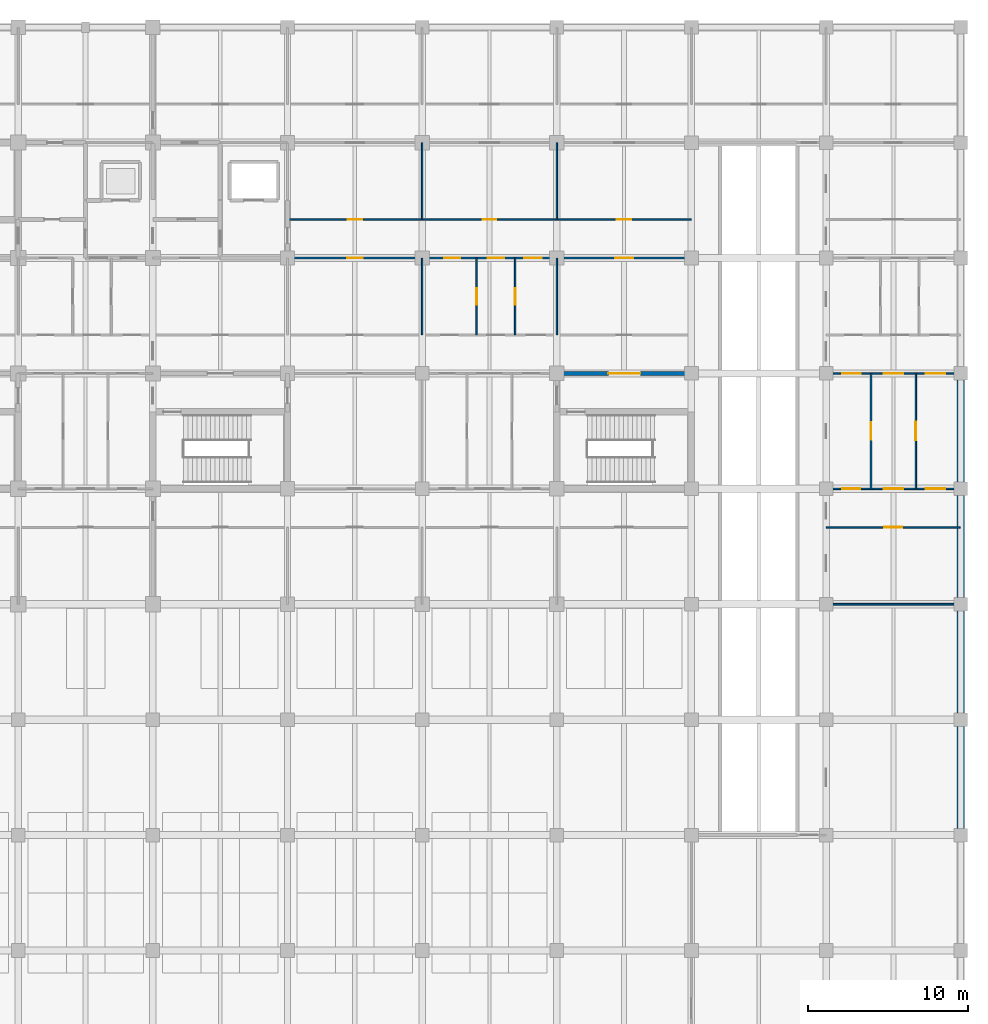
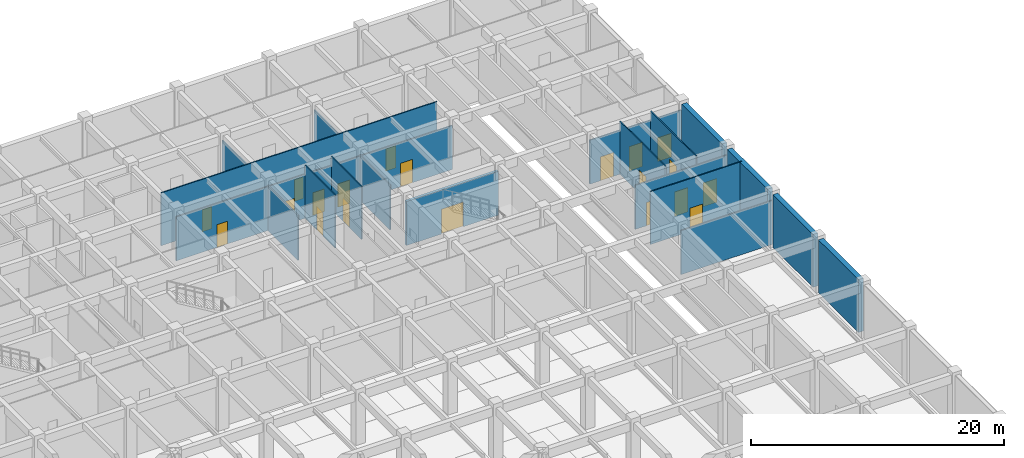
# One storey, part 37 of 48: 20 doors, 19 walls, 20 openings.
"""IFC4 building model written with IfcOpenShell, lengths in metres."""

from ifc_helpers import new_model, si_unit, direction, frame, frame_2d, origin, place, context, subcontext, project, spatial, rectangle, extrude, material, layer, layer_set, type_object, element, fill, save


model = new_model("IFC4")

# Units and contexts
model_context = context("Model", 3, precision=1e-05, world=origin(), true_north=direction((0.0, 1.0)))
body_context = subcontext(model_context, "Body", "Model", "MODEL_VIEW")
ifc_project = project(units=[si_unit("LENGTHUNIT", "METRE"), si_unit("AREAUNIT", "SQUARE_METRE"), si_unit("VOLUMEUNIT", "CUBIC_METRE"), si_unit("PLANEANGLEUNIT", "RADIAN"), si_unit("MASSUNIT", "GRAM", prefix="KILO")], contexts=[model_context])

# Site, building, storey
site_placement = place(None, origin())
site = spatial("IfcSite", under=ifc_project, at=site_placement, CompositionType="ELEMENT")
building_placement = place(site_placement, origin())
building = spatial("IfcBuilding", under=site, at=building_placement, Name="Chengyuan Square Courthouse", CompositionType="ELEMENT")
storey_placement = place(building_placement, frame((0.0, 0.0, -5.39990234375)))
storey = spatial("IfcBuildingStorey", under=building, at=storey_placement, Name="B01", CompositionType="ELEMENT", Elevation=-5.39990234375)

# Wall, opening, door
ifc_material_1 = material(Name="Concrete C40", Category="concrete")
ifc_layer_1 = layer(ifc_material_1, 0.25)
ifc_layer_set_1 = layer_set([ifc_layer_1], Name="Concrete C40")
wall_type_1 = type_object("IfcWallType", Name="WL-FW1", PredefinedType="STANDARD", material=ifc_layer_set_1)
wall_1_placement = place(storey_placement, frame((142.800048828125, 93.60009765625, 0.0), z_axis=(0.0, 0.0, 1.0), x_axis=(1.0, 0.0, 0.0)))
wall_1 = element("IfcWall", 1, at=wall_1_placement, inside=storey, type_object=wall_type_1, Name="Interior Wall WL-B01-I347", PredefinedType="STANDARD", context=body_context, shape_type="SweptSolid", body=[
    extrude(rectangle(XDim=8.39990234375, YDim=0.25, at=frame_2d((4.199951171875, 0.0))), origin(), (0.0, 0.0, 1.0), 4.25),
])
opening_1_placement = place(wall_1_placement, frame((3.21240234375, 0.0, 0.0)))
opening_1 = element("IfcOpeningElement", 2, at=opening_1_placement, cuts=wall_1, Name="Opening DR-371", PredefinedType="OPENING", context=body_context, shape_type="SweptSolid", body=[
    extrude(rectangle(XDim=2.0, YDim=2.39990234375, at=frame_2d((1.0, 1.199951171875))), frame((0.0, 0.136962890625, 0.0), z_axis=(0.0, -1.0, 0.0), x_axis=(1.0, 0.0, 0.0)), (0.0, 0.0, 1.0), 0.27392578125),
])
ifc_material_2 = material(Name="Steel Q235B Glazed Fire Door", Category="steel")
door_type_1 = type_object("IfcDoorType", Name="DT-20", OperationType="DOUBLE_DOOR_SINGLE_SWING", PredefinedType="DOOR", material=ifc_material_2)
door_1_placement = place(opening_1_placement, frame((2.0, 0.0, 0.0), z_axis=(0.0, 0.0, 1.0), x_axis=(-1.0, 0.0, 0.0)))
door_1 = element("IfcDoor", 3, at=door_1_placement, inside=storey, type_object=door_type_1, Name="Interior Door DR-371", OperationType="DOUBLE_DOOR_SINGLE_SWING", OverallHeight=2.39990234375, OverallWidth=2.0, PredefinedType="DOOR", context=body_context, shape_type="SweptSolid", body=[
    extrude(rectangle(XDim=2.0, YDim=2.39990234375, at=frame_2d((1.0, 1.199951171875))), frame((0.0, 0.02490234375, 0.0), z_axis=(0.0, -1.0, 0.0), x_axis=(1.0, 0.0, 0.0)), (0.0, 0.0, 1.0), 0.050048828125),
])
fill(opening_1, door_1)

# Wall
ifc_material_3 = material(Name="Gypsum Plasterboard Acoustic Stud Partition")
ifc_layer_2 = layer(ifc_material_3, 0.10009765625)
ifc_layer_set_2 = layer_set([ifc_layer_2], Name="Gypsum Plasterboard Acoustic Stud Partition")
wall_type_2 = type_object("IfcWallType", Name="WL-PT6", PredefinedType="STANDARD", material=ifc_layer_set_2)
wall_2_placement = place(storey_placement, frame((159.60009765625, 79.199951171875, 0.0), z_axis=(0.0, 0.0, 1.0), x_axis=(1.0, 0.0, 0.0)))
element("IfcWall", 4, at=wall_2_placement, inside=storey, type_object=wall_type_2, Name="Interior Wall WL-B01-I300", PredefinedType="STANDARD", context=body_context, shape_type="SweptSolid", body=[
    extrude(rectangle(XDim=8.35986328125, YDim=0.10009765625, at=frame_2d((4.179931640625, 0.0))), origin(), (0.0, 0.0, 1.0), 4.25),
])

# Wall, opening, door
wall_3_placement = place(storey_placement, frame((159.60009765625, 84.0, 0.0), z_axis=(0.0, 0.0, 1.0), x_axis=(1.0, 0.0, 0.0)))
wall_3 = element("IfcWall", 5, at=wall_3_placement, inside=storey, type_object=wall_type_2, Name="Interior Wall WL-B01-I304", PredefinedType="STANDARD", context=body_context, shape_type="SweptSolid", body=[
    extrude(rectangle(XDim=8.35986328125, YDim=0.10009765625, at=frame_2d((4.179931640625, 0.0))), origin(), (0.0, 0.0, 1.0), 5.099853515625),
])
opening_2_placement = place(wall_3_placement, frame((3.6201171875, 0.0, 0.0)))
opening_2 = element("IfcOpeningElement", 6, at=opening_2_placement, cuts=wall_3, Name="Opening DR-636", PredefinedType="OPENING", context=body_context, shape_type="SweptSolid", body=[
    extrude(rectangle(XDim=1.1201171875, YDim=2.25, at=frame_2d((0.56005859375, 1.125))), frame((0.0, 0.06201171875, 0.0), z_axis=(0.0, -1.0, 0.0), x_axis=(1.0, 0.0, 0.0)), (0.0, 0.0, 1.0), 0.1240234375),
])
ifc_material_4 = material(Name="Acoustic Solid-Core Timber Door", Category="wood")
door_type_2 = type_object("IfcDoorType", Name="DT-34", OperationType="NOTDEFINED", PredefinedType="DOOR", material=ifc_material_4)
door_2_placement = place(opening_2_placement, origin())
door_2 = element("IfcDoor", 7, at=door_2_placement, inside=storey, type_object=door_type_2, Name="Interior Door DR-636", OperationType="SINGLE_SWING_LEFT", OverallHeight=2.25, OverallWidth=1.1201171875, PredefinedType="DOOR", context=body_context, shape_type="SweptSolid", body=[
    extrude(rectangle(XDim=1.1201171875, YDim=2.25, at=frame_2d((0.56005859375, 1.125))), frame((0.0, 0.02490234375, 0.0), z_axis=(0.0, -1.0, 0.0), x_axis=(1.0, 0.0, 0.0)), (0.0, 0.0, 1.0), 0.050048828125),
])
fill(opening_2, door_2)

# Wall, openings, doors
wall_4_placement = place(storey_placement, frame((159.60009765625, 86.39990234375, 0.0), z_axis=(0.0, 0.0, 1.0), x_axis=(1.0, 0.0, 0.0)))
wall_4 = element("IfcWall", 8, at=wall_4_placement, inside=storey, type_object=wall_type_2, Name="Interior Wall WL-B01-I320", PredefinedType="STANDARD", context=body_context, shape_type="SweptSolid", body=[
    extrude(rectangle(XDim=8.35986328125, YDim=0.10009765625, at=frame_2d((4.179931640625, 0.0))), origin(), (0.0, 0.0, 1.0), 4.25),
])
opening_3_placement = place(wall_4_placement, frame((1.012451171875, 0.0, 0.0)))
opening_3 = element("IfcOpeningElement", 9, at=opening_3_placement, cuts=wall_4, Name="Opening DR-585", PredefinedType="OPENING", context=body_context, shape_type="SweptSolid", body=[
    extrude(rectangle(XDim=1.1201171875, YDim=2.25, at=frame_2d((0.56005859375, 1.125))), frame((0.0, 0.06201171875, 0.0), z_axis=(0.0, -1.0, 0.0), x_axis=(1.0, 0.0, 0.0)), (0.0, 0.0, 1.0), 0.1240234375),
])
opening_4_placement = place(wall_4_placement, frame((3.60009765625, 0.0, 0.0)))
opening_4 = element("IfcOpeningElement", 10, at=opening_4_placement, cuts=wall_4, Name="Opening DR-587", PredefinedType="OPENING", context=body_context, shape_type="SweptSolid", body=[
    extrude(rectangle(XDim=1.199951171875, YDim=2.35009765625, at=frame_2d((0.60009765625, 1.175048828125))), frame((0.0, 0.06201171875, 0.0), z_axis=(0.0, -1.0, 0.0), x_axis=(1.0, 0.0, 0.0)), (0.0, 0.0, 1.0), 0.1240234375),
])
opening_5_placement = place(wall_4_placement, frame((6.20751953125, 0.0, 0.0)))
opening_5 = element("IfcOpeningElement", 11, at=opening_5_placement, cuts=wall_4, Name="Opening DR-588", PredefinedType="OPENING", context=body_context, shape_type="SweptSolid", body=[
    extrude(rectangle(XDim=1.239990234375, YDim=2.300048828125, at=frame_2d((0.6201171875, 1.14990234375))), frame((0.0, 0.06201171875, 0.0), z_axis=(0.0, -1.0, 0.0), x_axis=(1.0, 0.0, 0.0)), (0.0, 0.0, 1.0), 0.1240234375),
])
door_3_placement = place(opening_3_placement, origin())
door_3 = element("IfcDoor", 12, at=door_3_placement, inside=storey, type_object=door_type_2, Name="Interior Door DR-585", OperationType="SINGLE_SWING_LEFT", OverallHeight=2.25, OverallWidth=1.1201171875, PredefinedType="DOOR", context=body_context, shape_type="SweptSolid", body=[
    extrude(rectangle(XDim=1.1201171875, YDim=2.25, at=frame_2d((0.56005859375, 1.125))), frame((0.0, 0.02490234375, 0.0), z_axis=(0.0, -1.0, 0.0), x_axis=(1.0, 0.0, 0.0)), (0.0, 0.0, 1.0), 0.050048828125),
])
fill(opening_3, door_3)
door_type_3 = type_object("IfcDoorType", Name="DT-36", OperationType="NOTDEFINED", PredefinedType="DOOR", material=ifc_material_4)
door_4_placement = place(opening_4_placement, origin())
door_4 = element("IfcDoor", 13, at=door_4_placement, inside=storey, type_object=door_type_3, Name="Interior Door DR-587", OperationType="SINGLE_SWING_LEFT", OverallHeight=2.35009765625, OverallWidth=1.199951171875, PredefinedType="DOOR", context=body_context, shape_type="SweptSolid", body=[
    extrude(rectangle(XDim=1.199951171875, YDim=2.35009765625, at=frame_2d((0.60009765625, 1.175048828125))), frame((0.0, 0.02490234375, 0.0), z_axis=(0.0, -1.0, 0.0), x_axis=(1.0, 0.0, 0.0)), (0.0, 0.0, 1.0), 0.050048828125),
])
fill(opening_4, door_4)
door_type_4 = type_object("IfcDoorType", Name="DT-37", OperationType="NOTDEFINED", PredefinedType="DOOR", material=ifc_material_4)
door_5_placement = place(opening_5_placement, origin())
door_5 = element("IfcDoor", 14, at=door_5_placement, inside=storey, type_object=door_type_4, Name="Interior Door DR-588", OperationType="SINGLE_SWING_RIGHT", OverallHeight=2.300048828125, OverallWidth=1.239990234375, PredefinedType="DOOR", context=body_context, shape_type="SweptSolid", body=[
    extrude(rectangle(XDim=1.239990234375, YDim=2.300048828125, at=frame_2d((0.6201171875, 1.14990234375))), frame((0.0, 0.02490234375, 0.0), z_axis=(0.0, -1.0, 0.0), x_axis=(1.0, 0.0, 0.0)), (0.0, 0.0, 1.0), 0.050048828125),
])
fill(opening_5, door_5)

wall_5_placement = place(storey_placement, frame((159.60009765625, 93.60009765625, 0.0), z_axis=(0.0, 0.0, 1.0), x_axis=(1.0, 0.0, 0.0)))
wall_5 = element("IfcWall", 15, at=wall_5_placement, inside=storey, type_object=wall_type_2, Name="Interior Wall WL-B01-I348", PredefinedType="STANDARD", context=body_context, shape_type="SweptSolid", body=[
    extrude(rectangle(XDim=8.35986328125, YDim=0.10009765625, at=frame_2d((4.179931640625, 0.0))), origin(), (0.0, 0.0, 1.0), 4.25),
])
opening_6_placement = place(wall_5_placement, frame((0.992431640625, 0.0, 0.0)))
opening_6 = element("IfcOpeningElement", 16, at=opening_6_placement, cuts=wall_5, Name="Opening DR-535", PredefinedType="OPENING", context=body_context, shape_type="SweptSolid", body=[
    extrude(rectangle(XDim=1.159912109375, YDim=2.300048828125, at=frame_2d((0.580078125, 1.14990234375))), frame((0.0, 0.06201171875, 0.0), z_axis=(0.0, -1.0, 0.0), x_axis=(1.0, 0.0, 0.0)), (0.0, 0.0, 1.0), 0.1240234375),
])
opening_7_placement = place(wall_5_placement, frame((3.60009765625, 0.0, 0.0)))
opening_7 = element("IfcOpeningElement", 17, at=opening_7_placement, cuts=wall_5, Name="Opening DR-536", PredefinedType="OPENING", context=body_context, shape_type="SweptSolid", body=[
    extrude(rectangle(XDim=1.199951171875, YDim=2.35009765625, at=frame_2d((0.60009765625, 1.175048828125))), frame((0.0, 0.06201171875, 0.0), z_axis=(0.0, -1.0, 0.0), x_axis=(1.0, 0.0, 0.0)), (0.0, 0.0, 1.0), 0.1240234375),
])
opening_8_placement = place(wall_5_placement, frame((6.20751953125, 0.0, 0.0)))
opening_8 = element("IfcOpeningElement", 18, at=opening_8_placement, cuts=wall_5, Name="Opening DR-537", PredefinedType="OPENING", context=body_context, shape_type="SweptSolid", body=[
    extrude(rectangle(XDim=1.239990234375, YDim=2.300048828125, at=frame_2d((0.6201171875, 1.14990234375))), frame((0.0, 0.06201171875, 0.0), z_axis=(0.0, -1.0, 0.0), x_axis=(1.0, 0.0, 0.0)), (0.0, 0.0, 1.0), 0.1240234375),
])
door_type_5 = type_object("IfcDoorType", Name="DT-35", OperationType="NOTDEFINED", PredefinedType="DOOR", material=ifc_material_4)
door_6_placement = place(opening_6_placement, origin())
door_6 = element("IfcDoor", 19, at=door_6_placement, inside=storey, type_object=door_type_5, Name="Interior Door DR-535", OperationType="SINGLE_SWING_RIGHT", OverallHeight=2.300048828125, OverallWidth=1.159912109375, PredefinedType="DOOR", context=body_context, shape_type="SweptSolid", body=[
    extrude(rectangle(XDim=1.159912109375, YDim=2.300048828125, at=frame_2d((0.580078125, 1.14990234375))), frame((0.0, 0.02490234375, 0.0), z_axis=(0.0, -1.0, 0.0), x_axis=(1.0, 0.0, 0.0)), (0.0, 0.0, 1.0), 0.050048828125),
])
fill(opening_6, door_6)
door_7_placement = place(opening_7_placement, origin())
door_7 = element("IfcDoor", 20, at=door_7_placement, inside=storey, type_object=door_type_3, Name="Interior Door DR-536", OperationType="SINGLE_SWING_LEFT", OverallHeight=2.35009765625, OverallWidth=1.199951171875, PredefinedType="DOOR", context=body_context, shape_type="SweptSolid", body=[
    extrude(rectangle(XDim=1.199951171875, YDim=2.35009765625, at=frame_2d((0.60009765625, 1.175048828125))), frame((0.0, 0.02490234375, 0.0), z_axis=(0.0, -1.0, 0.0), x_axis=(1.0, 0.0, 0.0)), (0.0, 0.0, 1.0), 0.050048828125),
])
fill(opening_7, door_7)
door_8_placement = place(opening_8_placement, origin())
door_8 = element("IfcDoor", 21, at=door_8_placement, inside=storey, type_object=door_type_4, Name="Interior Door DR-537", OperationType="SINGLE_SWING_RIGHT", OverallHeight=2.300048828125, OverallWidth=1.239990234375, PredefinedType="DOOR", context=body_context, shape_type="SweptSolid", body=[
    extrude(rectangle(XDim=1.239990234375, YDim=2.300048828125, at=frame_2d((0.6201171875, 1.14990234375))), frame((0.0, 0.02490234375, 0.0), z_axis=(0.0, -1.0, 0.0), x_axis=(1.0, 0.0, 0.0)), (0.0, 0.0, 1.0), 0.050048828125),
])
fill(opening_8, door_8)

wall_6_placement = place(storey_placement, frame((126.0, 100.800048828125, 0.0), z_axis=(0.0, 0.0, 1.0), x_axis=(1.0, 0.0, 0.0)))
wall_6 = element("IfcWall", 22, at=wall_6_placement, inside=storey, type_object=wall_type_2, Name="Interior Wall WL-B01-I367", PredefinedType="STANDARD", context=body_context, shape_type="SweptSolid", body=[
    extrude(rectangle(XDim=25.199951171875, YDim=0.10009765625, at=frame_2d((12.60009765625, 0.0))), origin(), (0.0, 0.0, 1.0), 4.25),
])
opening_9_placement = place(wall_6_placement, frame((3.719970703125, 0.0, 0.0)))
opening_9 = element("IfcOpeningElement", 23, at=opening_9_placement, cuts=wall_6, Name="Opening DR-462", PredefinedType="OPENING", context=body_context, shape_type="SweptSolid", body=[
    extrude(rectangle(XDim=0.9599609375, YDim=2.199951171875, at=frame_2d((0.47998046875, 1.10009765625))), frame((0.0, 0.06201171875, 0.0), z_axis=(0.0, -1.0, 0.0), x_axis=(1.0, 0.0, 0.0)), (0.0, 0.0, 1.0), 0.1240234375),
])
opening_10_placement = place(wall_6_placement, frame((9.784912109375, 0.0, 0.0)))
opening_10 = element("IfcOpeningElement", 24, at=opening_10_placement, cuts=wall_6, Name="Opening DR-463", PredefinedType="OPENING", context=body_context, shape_type="SweptSolid", body=[
    extrude(rectangle(XDim=1.0, YDim=2.25, at=frame_2d((0.5, 1.125))), frame((0.0, 0.06201171875, 0.0), z_axis=(0.0, -1.0, 0.0), x_axis=(1.0, 0.0, 0.0)), (0.0, 0.0, 1.0), 0.1240234375),
])
opening_11_placement = place(wall_6_placement, frame((12.47998046875, 0.0, 0.0)))
opening_11 = element("IfcOpeningElement", 25, at=opening_11_placement, cuts=wall_6, Name="Opening DR-464", PredefinedType="OPENING", context=body_context, shape_type="SweptSolid", body=[
    extrude(rectangle(XDim=1.0400390625, YDim=2.199951171875, at=frame_2d((0.52001953125, 1.10009765625))), frame((0.0, 0.06201171875, 0.0), z_axis=(0.0, -1.0, 0.0), x_axis=(1.0, 0.0, 0.0)), (0.0, 0.0, 1.0), 0.1240234375),
])
opening_12_placement = place(wall_6_placement, frame((14.77490234375, 0.0, 0.0)))
opening_12 = element("IfcOpeningElement", 26, at=opening_12_placement, cuts=wall_6, Name="Opening DR-465", PredefinedType="OPENING", context=body_context, shape_type="SweptSolid", body=[
    extrude(rectangle(XDim=1.080078125, YDim=2.25, at=frame_2d((0.5400390625, 1.125))), frame((0.0, 0.06201171875, 0.0), z_axis=(0.0, -1.0, 0.0), x_axis=(1.0, 0.0, 0.0)), (0.0, 0.0, 1.0), 0.1240234375),
])
opening_13_placement = place(wall_6_placement, frame((20.452392578125, 0.0, 0.0)))
opening_13 = element("IfcOpeningElement", 27, at=opening_13_placement, cuts=wall_6, Name="Opening DR-466", PredefinedType="OPENING", context=body_context, shape_type="SweptSolid", body=[
    extrude(rectangle(XDim=1.1201171875, YDim=2.25, at=frame_2d((0.56005859375, 1.125))), frame((0.0, 0.06201171875, 0.0), z_axis=(0.0, -1.0, 0.0), x_axis=(1.0, 0.0, 0.0)), (0.0, 0.0, 1.0), 0.1240234375),
])
door_type_6 = type_object("IfcDoorType", Name="DT-30", OperationType="NOTDEFINED", PredefinedType="DOOR", material=ifc_material_4)
door_9_placement = place(opening_9_placement, origin())
door_9 = element("IfcDoor", 28, at=door_9_placement, inside=storey, type_object=door_type_6, Name="Interior Door DR-462", OperationType="SINGLE_SWING_LEFT", OverallHeight=2.199951171875, OverallWidth=0.9599609375, PredefinedType="DOOR", context=body_context, shape_type="SweptSolid", body=[
    extrude(rectangle(XDim=0.9599609375, YDim=2.199951171875, at=frame_2d((0.47998046875, 1.10009765625))), frame((0.0, 0.02490234375, 0.0), z_axis=(0.0, -1.0, 0.0), x_axis=(1.0, 0.0, 0.0)), (0.0, 0.0, 1.0), 0.050048828125),
])
fill(opening_9, door_9)
door_type_7 = type_object("IfcDoorType", Name="DT-31", OperationType="NOTDEFINED", PredefinedType="DOOR", material=ifc_material_4)
door_10_placement = place(opening_10_placement, origin())
door_10 = element("IfcDoor", 29, at=door_10_placement, inside=storey, type_object=door_type_7, Name="Interior Door DR-463", OperationType="SINGLE_SWING_RIGHT", OverallHeight=2.25, OverallWidth=1.0, PredefinedType="DOOR", context=body_context, shape_type="SweptSolid", body=[
    extrude(rectangle(XDim=1.0, YDim=2.25, at=frame_2d((0.5, 1.125))), frame((0.0, 0.02490234375, 0.0), z_axis=(0.0, -1.0, 0.0), x_axis=(1.0, 0.0, 0.0)), (0.0, 0.0, 1.0), 0.050048828125),
])
fill(opening_10, door_10)
door_type_8 = type_object("IfcDoorType", Name="DT-32", OperationType="NOTDEFINED", PredefinedType="DOOR", material=ifc_material_4)
door_11_placement = place(opening_11_placement, origin())
door_11 = element("IfcDoor", 30, at=door_11_placement, inside=storey, type_object=door_type_8, Name="Interior Door DR-464", OperationType="SINGLE_SWING_LEFT", OverallHeight=2.199951171875, OverallWidth=1.0400390625, PredefinedType="DOOR", context=body_context, shape_type="SweptSolid", body=[
    extrude(rectangle(XDim=1.0400390625, YDim=2.199951171875, at=frame_2d((0.52001953125, 1.10009765625))), frame((0.0, 0.02490234375, 0.0), z_axis=(0.0, -1.0, 0.0), x_axis=(1.0, 0.0, 0.0)), (0.0, 0.0, 1.0), 0.050048828125),
])
fill(opening_11, door_11)
door_type_9 = type_object("IfcDoorType", Name="DT-33", OperationType="NOTDEFINED", PredefinedType="DOOR", material=ifc_material_4)
door_12_placement = place(opening_12_placement, origin())
door_12 = element("IfcDoor", 31, at=door_12_placement, inside=storey, type_object=door_type_9, Name="Interior Door DR-465", OperationType="SINGLE_SWING_RIGHT", OverallHeight=2.25, OverallWidth=1.080078125, PredefinedType="DOOR", context=body_context, shape_type="SweptSolid", body=[
    extrude(rectangle(XDim=1.080078125, YDim=2.25, at=frame_2d((0.5400390625, 1.125))), frame((0.0, 0.02490234375, 0.0), z_axis=(0.0, -1.0, 0.0), x_axis=(1.0, 0.0, 0.0)), (0.0, 0.0, 1.0), 0.050048828125),
])
fill(opening_12, door_12)
door_13_placement = place(opening_13_placement, origin())
door_13 = element("IfcDoor", 32, at=door_13_placement, inside=storey, type_object=door_type_2, Name="Interior Door DR-466", OperationType="SINGLE_SWING_LEFT", OverallHeight=2.25, OverallWidth=1.1201171875, PredefinedType="DOOR", context=body_context, shape_type="SweptSolid", body=[
    extrude(rectangle(XDim=1.1201171875, YDim=2.25, at=frame_2d((0.56005859375, 1.125))), frame((0.0, 0.02490234375, 0.0), z_axis=(0.0, -1.0, 0.0), x_axis=(1.0, 0.0, 0.0)), (0.0, 0.0, 1.0), 0.050048828125),
])
fill(opening_13, door_13)

wall_7_placement = place(storey_placement, frame((126.0, 103.199951171875, 0.0), z_axis=(0.0, 0.0, 1.0), x_axis=(1.0, 0.0, 0.0)))
wall_7 = element("IfcWall", 33, at=wall_7_placement, inside=storey, type_object=wall_type_2, Name="Interior Wall WL-B01-I379", PredefinedType="STANDARD", context=body_context, shape_type="SweptSolid", body=[
    extrude(rectangle(XDim=25.199951171875, YDim=0.10009765625, at=frame_2d((12.60009765625, 0.0))), origin(), (0.0, 0.0, 1.0), 5.099853515625),
])
opening_14_placement = place(wall_7_placement, frame((3.75, 0.0, 0.0)))
opening_14 = element("IfcOpeningElement", 34, at=opening_14_placement, cuts=wall_7, Name="Opening DR-459", PredefinedType="OPENING", context=body_context, shape_type="SweptSolid", body=[
    extrude(rectangle(XDim=0.89990234375, YDim=2.14990234375, at=frame_2d((0.449951171875, 1.074951171875))), frame((0.0, 0.06201171875, 0.0), z_axis=(0.0, -1.0, 0.0), x_axis=(1.0, 0.0, 0.0)), (0.0, 0.0, 1.0), 0.1240234375),
])
opening_15_placement = place(wall_7_placement, frame((12.169921875, 0.0, 0.0)))
opening_15 = element("IfcOpeningElement", 35, at=opening_15_placement, cuts=wall_7, Name="Opening DR-460", PredefinedType="OPENING", context=body_context, shape_type="SweptSolid", body=[
    extrude(rectangle(XDim=0.860107421875, YDim=2.10009765625, at=frame_2d((0.43017578125, 1.050048828125))), frame((0.0, 0.06201171875, 0.0), z_axis=(0.0, -1.0, 0.0), x_axis=(1.0, 0.0, 0.0)), (0.0, 0.0, 1.0), 0.1240234375),
])
opening_16_placement = place(wall_7_placement, frame((20.5400390625, 0.0, 0.0)))
opening_16 = element("IfcOpeningElement", 36, at=opening_16_placement, cuts=wall_7, Name="Opening DR-461", PredefinedType="OPENING", context=body_context, shape_type="SweptSolid", body=[
    extrude(rectangle(XDim=0.919921875, YDim=2.14990234375, at=frame_2d((0.4599609375, 1.074951171875))), frame((0.0, 0.06201171875, 0.0), z_axis=(0.0, -1.0, 0.0), x_axis=(1.0, 0.0, 0.0)), (0.0, 0.0, 1.0), 0.1240234375),
])
door_type_10 = type_object("IfcDoorType", Name="DT-27", OperationType="NOTDEFINED", PredefinedType="DOOR", material=ifc_material_4)
door_14_placement = place(opening_14_placement, origin())
door_14 = element("IfcDoor", 37, at=door_14_placement, inside=storey, type_object=door_type_10, Name="Interior Door DR-459", OperationType="SINGLE_SWING_RIGHT", OverallHeight=2.14990234375, OverallWidth=0.89990234375, PredefinedType="DOOR", context=body_context, shape_type="SweptSolid", body=[
    extrude(rectangle(XDim=0.89990234375, YDim=2.14990234375, at=frame_2d((0.449951171875, 1.074951171875))), frame((0.0, 0.02490234375, 0.0), z_axis=(0.0, -1.0, 0.0), x_axis=(1.0, 0.0, 0.0)), (0.0, 0.0, 1.0), 0.050048828125),
])
fill(opening_14, door_14)
door_type_11 = type_object("IfcDoorType", Name="DT-28", OperationType="NOTDEFINED", PredefinedType="DOOR", material=ifc_material_4)
door_15_placement = place(opening_15_placement, origin())
door_15 = element("IfcDoor", 38, at=door_15_placement, inside=storey, type_object=door_type_11, Name="Interior Door DR-460", OperationType="SINGLE_SWING_LEFT", OverallHeight=2.10009765625, OverallWidth=0.860107421875, PredefinedType="DOOR", context=body_context, shape_type="SweptSolid", body=[
    extrude(rectangle(XDim=0.860107421875, YDim=2.10009765625, at=frame_2d((0.43017578125, 1.050048828125))), frame((0.0, 0.02490234375, 0.0), z_axis=(0.0, -1.0, 0.0), x_axis=(1.0, 0.0, 0.0)), (0.0, 0.0, 1.0), 0.050048828125),
])
fill(opening_15, door_15)
door_type_12 = type_object("IfcDoorType", Name="DT-29", OperationType="NOTDEFINED", PredefinedType="DOOR", material=ifc_material_4)
door_16_placement = place(opening_16_placement, origin())
door_16 = element("IfcDoor", 39, at=door_16_placement, inside=storey, type_object=door_type_12, Name="Interior Door DR-461", OperationType="SINGLE_SWING_RIGHT", OverallHeight=2.14990234375, OverallWidth=0.919921875, PredefinedType="DOOR", context=body_context, shape_type="SweptSolid", body=[
    extrude(rectangle(XDim=0.919921875, YDim=2.14990234375, at=frame_2d((0.4599609375, 1.074951171875))), frame((0.0, 0.02490234375, 0.0), z_axis=(0.0, -1.0, 0.0), x_axis=(1.0, 0.0, 0.0)), (0.0, 0.0, 1.0), 0.050048828125),
])
fill(opening_16, door_16)

# Walls
for number, where, z_axis, x_axis, name in (
    (40, (134.39990234375, 96.0, 0.0), (0.0, 0.0, 1.0), (0.0, 1.0, 0.0), "Interior Wall WL-B01-I592"),
    (41, (134.39990234375, 103.199951171875, 0.0), (0.0, 0.0, 1.0), (0.0, 1.0, 0.0), "Interior Wall WL-B01-I593"),
):
    element("IfcWall", number, at=place(storey_placement, frame(where, z_axis=z_axis, x_axis=x_axis)), inside=storey, type_object=wall_type_2, Name=name, PredefinedType="STANDARD", context=body_context, shape_type="SweptSolid", body=[
        extrude(rectangle(XDim=4.800048828125, YDim=0.10009765625, at=frame_2d((2.39990234375, 0.0))), origin(), (0.0, 0.0, 1.0), 4.349853515625),
    ])

# Wall, opening, door
wall_8_placement = place(storey_placement, frame((137.800048828125, 96.0, 0.0), z_axis=(0.0, 0.0, 1.0), x_axis=(0.0, 1.0, 0.0)))
wall_8 = element("IfcWall", 42, at=wall_8_placement, inside=storey, type_object=wall_type_2, Name="Interior Wall WL-B01-I596", PredefinedType="STANDARD", context=body_context, shape_type="SweptSolid", body=[
    extrude(rectangle(XDim=4.800048828125, YDim=0.10009765625, at=frame_2d((2.39990234375, 0.0))), origin(), (0.0, 0.0, 1.0), 5.099853515625),
])
opening_17_placement = place(wall_8_placement, frame((1.89990234375, 0.0, 0.0)))
opening_17 = element("IfcOpeningElement", 43, at=opening_17_placement, cuts=wall_8, Name="Opening DR-548", PredefinedType="OPENING", context=body_context, shape_type="SweptSolid", body=[
    extrude(rectangle(XDim=1.0, YDim=2.25, at=frame_2d((0.5, 1.125))), frame((0.0, 0.06201171875, 0.0), z_axis=(0.0, -1.0, 0.0), x_axis=(1.0, 0.0, 0.0)), (0.0, 0.0, 1.0), 0.1240234375),
])
door_17_placement = place(opening_17_placement, origin())
door_17 = element("IfcDoor", 44, at=door_17_placement, inside=storey, type_object=door_type_7, Name="Interior Door DR-548", OperationType="SINGLE_SWING_LEFT", OverallHeight=2.25, OverallWidth=1.0, PredefinedType="DOOR", context=body_context, shape_type="SweptSolid", body=[
    extrude(rectangle(XDim=1.0, YDim=2.25, at=frame_2d((0.5, 1.125))), frame((0.0, 0.02490234375, 0.0), z_axis=(0.0, -1.0, 0.0), x_axis=(1.0, 0.0, 0.0)), (0.0, 0.0, 1.0), 0.050048828125),
])
fill(opening_17, door_17)

wall_9_placement = place(storey_placement, frame((140.199951171875, 96.0, 0.0), z_axis=(0.0, 0.0, 1.0), x_axis=(0.0, 1.0, 0.0)))
wall_9 = element("IfcWall", 45, at=wall_9_placement, inside=storey, type_object=wall_type_2, Name="Interior Wall WL-B01-I598", PredefinedType="STANDARD", context=body_context, shape_type="SweptSolid", body=[
    extrude(rectangle(XDim=4.800048828125, YDim=0.10009765625, at=frame_2d((2.39990234375, 0.0))), origin(), (0.0, 0.0, 1.0), 5.099853515625),
])
opening_18_placement = place(wall_9_placement, frame((1.8798828125, 0.0, 0.0)))
opening_18 = element("IfcOpeningElement", 46, at=opening_18_placement, cuts=wall_9, Name="Opening DR-549", PredefinedType="OPENING", context=body_context, shape_type="SweptSolid", body=[
    extrude(rectangle(XDim=1.0400390625, YDim=2.199951171875, at=frame_2d((0.52001953125, 1.10009765625))), frame((0.0, 0.06201171875, 0.0), z_axis=(0.0, -1.0, 0.0), x_axis=(1.0, 0.0, 0.0)), (0.0, 0.0, 1.0), 0.1240234375),
])
door_18_placement = place(opening_18_placement, origin())
door_18 = element("IfcDoor", 47, at=door_18_placement, inside=storey, type_object=door_type_8, Name="Interior Door DR-549", OperationType="SINGLE_SWING_RIGHT", OverallHeight=2.199951171875, OverallWidth=1.0400390625, PredefinedType="DOOR", context=body_context, shape_type="SweptSolid", body=[
    extrude(rectangle(XDim=1.0400390625, YDim=2.199951171875, at=frame_2d((0.52001953125, 1.10009765625))), frame((0.0, 0.02490234375, 0.0), z_axis=(0.0, -1.0, 0.0), x_axis=(1.0, 0.0, 0.0)), (0.0, 0.0, 1.0), 0.050048828125),
])
fill(opening_18, door_18)

# Walls
for number, where, z_axis, x_axis, name in (
    (48, (142.800048828125, 96.0, 0.0), (0.0, 0.0, 1.0), (0.0, 1.0, 0.0), "Interior Wall WL-B01-I602"),
    (49, (142.800048828125, 103.199951171875, 0.0), (0.0, 0.0, 1.0), (0.0, 1.0, 0.0), "Interior Wall WL-B01-I603"),
):
    element("IfcWall", number, at=place(storey_placement, frame(where, z_axis=z_axis, x_axis=x_axis)), inside=storey, type_object=wall_type_2, Name=name, PredefinedType="STANDARD", context=body_context, shape_type="SweptSolid", body=[
        extrude(rectangle(XDim=4.800048828125, YDim=0.10009765625, at=frame_2d((2.39990234375, 0.0))), origin(), (0.0, 0.0, 1.0), 4.349853515625),
    ])

# Wall, opening, door
wall_10_placement = place(storey_placement, frame((162.39990234375, 86.39990234375, 0.0), z_axis=(0.0, 0.0, 1.0), x_axis=(0.0, 1.0, 0.0)))
wall_10 = element("IfcWall", 50, at=wall_10_placement, inside=storey, type_object=wall_type_2, Name="Interior Wall WL-B01-I618", PredefinedType="STANDARD", context=body_context, shape_type="SweptSolid", body=[
    extrude(rectangle(XDim=7.2001953125, YDim=0.10009765625, at=frame_2d((3.60009765625, 0.0))), origin(), (0.0, 0.0, 1.0), 5.099853515625),
])
opening_19_placement = place(wall_10_placement, frame((3.06005859375, 0.0, 0.0)))
opening_19 = element("IfcOpeningElement", 51, at=opening_19_placement, cuts=wall_10, Name="Opening DR-584", PredefinedType="OPENING", context=body_context, shape_type="SweptSolid", body=[
    extrude(rectangle(XDim=1.080078125, YDim=2.25, at=frame_2d((0.5400390625, 1.125))), frame((0.0, 0.06201171875, 0.0), z_axis=(0.0, -1.0, 0.0), x_axis=(1.0, 0.0, 0.0)), (0.0, 0.0, 1.0), 0.1240234375),
])
door_19_placement = place(opening_19_placement, origin())
door_19 = element("IfcDoor", 52, at=door_19_placement, inside=storey, type_object=door_type_9, Name="Interior Door DR-584", OperationType="SINGLE_SWING_RIGHT", OverallHeight=2.25, OverallWidth=1.080078125, PredefinedType="DOOR", context=body_context, shape_type="SweptSolid", body=[
    extrude(rectangle(XDim=1.080078125, YDim=2.25, at=frame_2d((0.5400390625, 1.125))), frame((0.0, 0.02490234375, 0.0), z_axis=(0.0, -1.0, 0.0), x_axis=(1.0, 0.0, 0.0)), (0.0, 0.0, 1.0), 0.050048828125),
])
fill(opening_19, door_19)

wall_11_placement = place(storey_placement, frame((165.199951171875, 86.39990234375, 0.0), z_axis=(0.0, 0.0, 1.0), x_axis=(0.0, 1.0, 0.0)))
wall_11 = element("IfcWall", 53, at=wall_11_placement, inside=storey, type_object=wall_type_2, Name="Interior Wall WL-B01-I620", PredefinedType="STANDARD", context=body_context, shape_type="SweptSolid", body=[
    extrude(rectangle(XDim=7.2001953125, YDim=0.10009765625, at=frame_2d((3.60009765625, 0.0))), origin(), (0.0, 0.0, 1.0), 5.099853515625),
])
opening_20_placement = place(wall_11_placement, frame((3.02001953125, 0.0, 0.0)))
opening_20 = element("IfcOpeningElement", 54, at=opening_20_placement, cuts=wall_11, Name="Opening DR-586", PredefinedType="OPENING", context=body_context, shape_type="SweptSolid", body=[
    extrude(rectangle(XDim=1.159912109375, YDim=2.300048828125, at=frame_2d((0.580078125, 1.14990234375))), frame((0.0, 0.06201171875, 0.0), z_axis=(0.0, -1.0, 0.0), x_axis=(1.0, 0.0, 0.0)), (0.0, 0.0, 1.0), 0.1240234375),
])
door_20_placement = place(opening_20_placement, origin())
door_20 = element("IfcDoor", 55, at=door_20_placement, inside=storey, type_object=door_type_5, Name="Interior Door DR-586", OperationType="SINGLE_SWING_RIGHT", OverallHeight=2.300048828125, OverallWidth=1.159912109375, PredefinedType="DOOR", context=body_context, shape_type="SweptSolid", body=[
    extrude(rectangle(XDim=1.159912109375, YDim=2.300048828125, at=frame_2d((0.580078125, 1.14990234375))), frame((0.0, 0.02490234375, 0.0), z_axis=(0.0, -1.0, 0.0), x_axis=(1.0, 0.0, 0.0)), (0.0, 0.0, 1.0), 0.050048828125),
])
fill(opening_20, door_20)

# Walls
ifc_layer_3 = layer(ifc_material_1, 0.449951171875)
ifc_layer_set_3 = layer_set([ifc_layer_3], Name="Concrete C40")
wall_type_3 = type_object("IfcWallType", Name="WL-RW2", PredefinedType="USERDEFINED", material=ifc_layer_set_3)
for number, where, z_axis, x_axis, name in (
    (56, (168.0, 65.219970703125, 0.0), (0.0, 0.0, 1.0), (0.0, 1.0, 0.0), "Basement Retaining Wall WL-B01-E137"),
    (57, (168.0, 72.419921875, 0.0), (0.0, 0.0, 1.0), (0.0, 1.0, 0.0), "Basement Retaining Wall WL-B01-E138"),
):
    element("IfcWall", number, at=place(storey_placement, frame(where, z_axis=z_axis, x_axis=x_axis)), inside=storey, type_object=wall_type_3, Name=name, ObjectType="RETAININGWALL", PredefinedType="USERDEFINED", context=body_context, shape_type="SweptSolid", body=[
        extrude(rectangle(XDim=6.360107421875, YDim=0.449951171875, at=frame_2d((3.18017578125, 0.0))), origin(), (0.0, 0.0, 1.0), 5.099853515625),
    ])
for number, where, z_axis, x_axis, name in (
    (58, (168.0, 79.6201171875, 0.0), (0.0, 0.0, 1.0), (0.0, 1.0, 0.0), "Basement Retaining Wall WL-B01-E139"),
    (59, (168.0, 86.820068359375, 0.0), (0.0, 0.0, 1.0), (0.0, 1.0, 0.0), "Basement Retaining Wall WL-B01-E140"),
):
    element("IfcWall", number, at=place(storey_placement, frame(where, z_axis=z_axis, x_axis=x_axis)), inside=storey, type_object=wall_type_3, Name=name, ObjectType="RETAININGWALL", PredefinedType="USERDEFINED", context=body_context, shape_type="SweptSolid", body=[
        extrude(rectangle(XDim=6.35986328125, YDim=0.449951171875, at=frame_2d((3.179931640625, 0.0))), origin(), (0.0, 0.0, 1.0), 5.099853515625),
    ])

save(model, "model.ifc")
